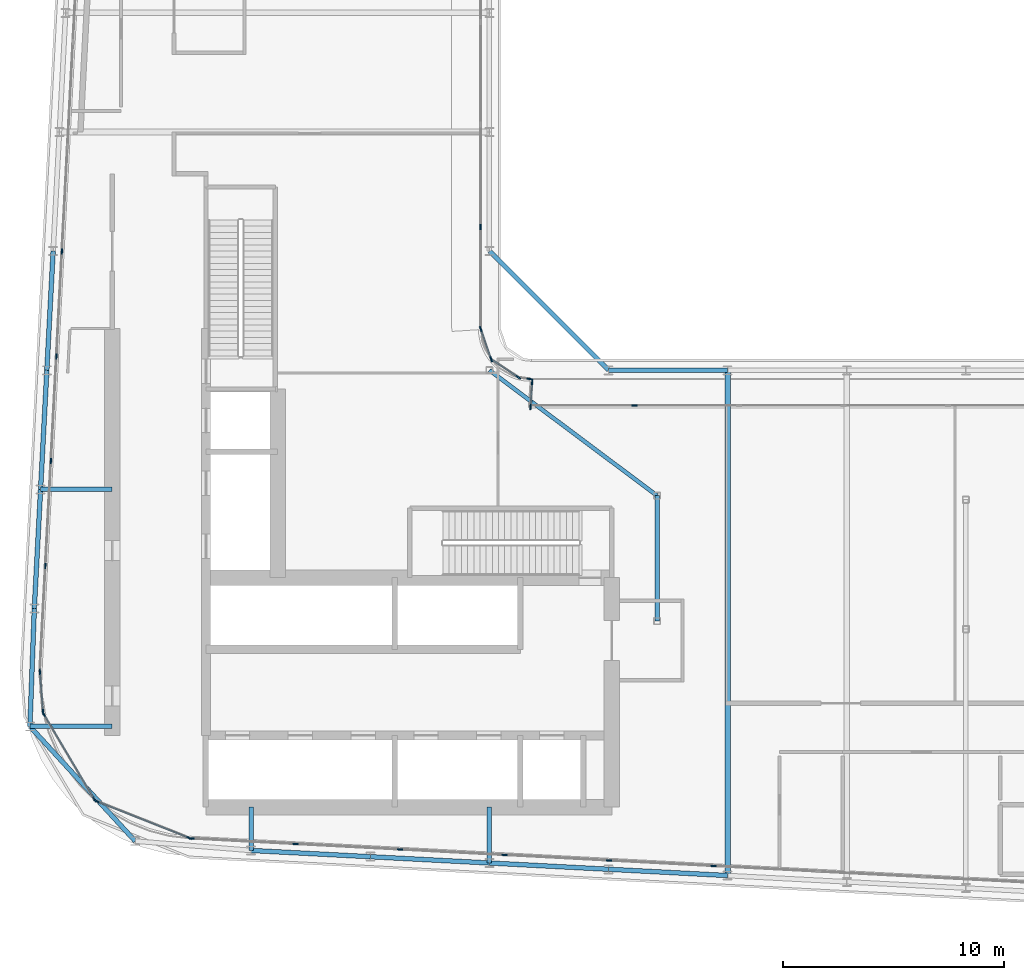
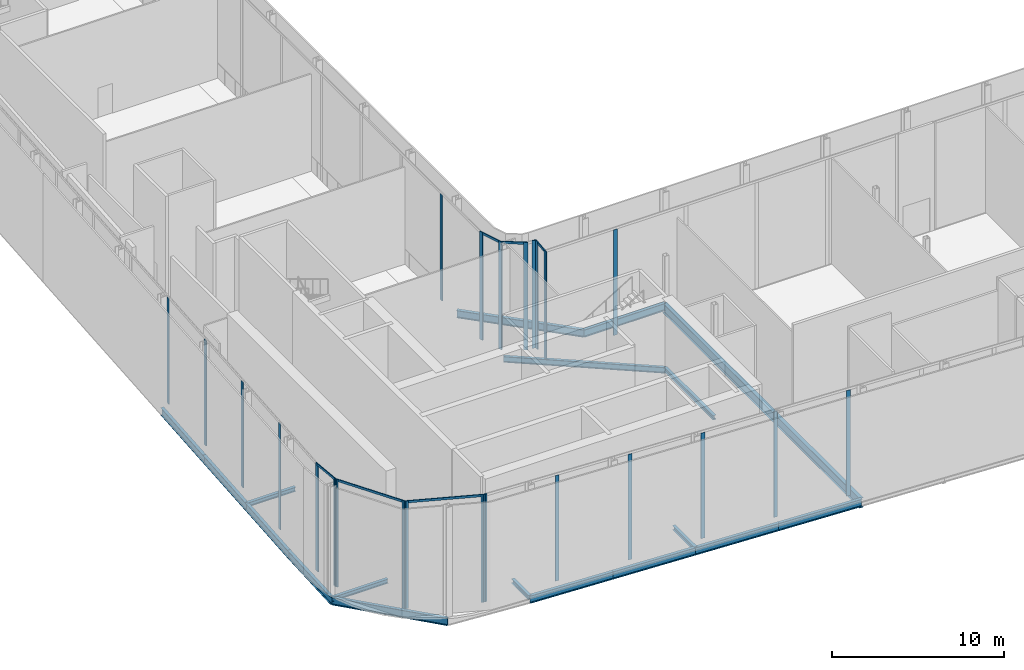
# One storey, part 6 of 38: 30 members, 18 beams, 11 elements without a shape of their own.
"""IFC4 building model written with IfcOpenShell, lengths in metres."""

from ifc_helpers import new_model, si_unit, direction, frame, origin, origin_2d, place, context, subcontext, project, spatial, rectangle, i_section, extrude, material, layer, layer_set, material_profile, profile_set, type_object, element, aggregate, save


model = new_model("IFC4")

# Units and contexts
model_context = context("Model", 3, precision=1e-05, world=origin(), true_north=direction((0.0, 1.0)))
body_context = subcontext(model_context, "Body", "Model", "MODEL_VIEW")
ifc_project = project(units=[si_unit("LENGTHUNIT", "METRE"), si_unit("AREAUNIT", "SQUARE_METRE"), si_unit("VOLUMEUNIT", "CUBIC_METRE"), si_unit("PLANEANGLEUNIT", "RADIAN"), si_unit("MASSUNIT", "GRAM", prefix="KILO")], contexts=[model_context])

# Site, building, storey
site_placement = place(None, origin())
site = spatial("IfcSite", under=ifc_project, at=site_placement, CompositionType="ELEMENT")
building_placement = place(site_placement, origin())
building = spatial("IfcBuilding", under=site, at=building_placement, Name="Kheshtan School and Residences Tower", CompositionType="ELEMENT")
storey_placement = place(building_placement, frame((0.0, 0.0, 203.300048828125)))
storey = spatial("IfcBuildingStorey", under=building, at=storey_placement, Name="L48", CompositionType="ELEMENT", Elevation=203.300048828125)

# Beams
ifc_material_1 = material(Name="Steel ASTM A992 Grade 50", Category="steel")
ifc_material_profile_1 = material_profile(ifc_material_1, i_section(OverallWidth=0.202880859375, OverallDepth=0.302978515625, WebThickness=0.007568359375, FlangeThickness=0.01318359375, FilletRadius=0.009033203125, at=origin_2d()), Name="W310x60")
ifc_profile_set_1 = profile_set([ifc_material_profile_1], Name="Steel ASTM A992 Grade 50")
beam_type_1 = type_object("IfcBeamType", Name="Beam FB1 W310x60 ASTM A992 Grade 50", PredefinedType="BEAM", material=ifc_profile_set_1)
beam_1_placement = place(storey_placement, frame((47.60009765625, 23.263916015625, -0.301513671875), z_axis=(0.0, 1.0, 0.0), x_axis=(-1.0, 0.0, 0.0)))
element("IfcBeam", 1, at=beam_1_placement, inside=storey, type_object=beam_type_1, Name="Floor beam C020", PredefinedType="BEAM", context=body_context, shape_type="SweptSolid", body=[
    extrude(i_section(OverallWidth=0.202880859375, OverallDepth=0.302978515625, WebThickness=0.007568359375, FlangeThickness=0.01318359375, FilletRadius=0.009033203125, at=origin_2d()), origin(), (0.0, 0.0, 1.0), 2.5361328125),
])
beam_2_placement = place(storey_placement, frame((36.800048828125, 23.83203125, -0.301513671875), z_axis=(0.0, 1.0, 0.0), x_axis=(-1.0, 0.0, 0.0)))
element("IfcBeam", 2, at=beam_2_placement, inside=storey, type_object=beam_type_1, Name="Floor beam C022", PredefinedType="BEAM", context=body_context, shape_type="SweptSolid", body=[
    extrude(i_section(OverallWidth=0.202880859375, OverallDepth=0.302978515625, WebThickness=0.007568359375, FlangeThickness=0.01318359375, FilletRadius=0.009033203125, at=origin_2d()), origin(), (0.0, 0.0, 1.0), 1.968017578125),
])
beam_3_placement = place(storey_placement, frame((26.76904296875, 29.4541015625, -0.301513671875), z_axis=(1.0, 0.0, 0.0), x_axis=(0.0, 1.0, 0.0)))
element("IfcBeam", 3, at=beam_3_placement, inside=storey, type_object=beam_type_1, Name="Floor beam C038", PredefinedType="BEAM", context=body_context, shape_type="SweptSolid", body=[
    extrude(i_section(OverallWidth=0.202880859375, OverallDepth=0.302978515625, WebThickness=0.007568359375, FlangeThickness=0.01318359375, FilletRadius=0.009033203125, at=origin_2d()), origin(), (0.0, 0.0, 1.0), 3.73095703125),
])
beam_4_placement = place(storey_placement, frame((27.2529296875, 40.199951171875, -0.301513671875), z_axis=(1.0, 0.0, 0.0), x_axis=(0.0, 1.0, 0.0)))
element("IfcBeam", 4, at=beam_4_placement, inside=storey, type_object=beam_type_1, Name="Floor beam C056", PredefinedType="BEAM", context=body_context, shape_type="SweptSolid", body=[
    extrude(i_section(OverallWidth=0.202880859375, OverallDepth=0.302978515625, WebThickness=0.007568359375, FlangeThickness=0.01318359375, FilletRadius=0.009033203125, at=origin_2d()), origin(), (0.0, 0.0, 1.0), 3.2470703125),
])
beam_5_placement = place(storey_placement, frame((55.199951171875, 34.23193359375, -0.301513671875), z_axis=(0.0, 1.0, 0.0), x_axis=(-1.0, 0.0, 0.0)))
element("IfcBeam", 5, at=beam_5_placement, inside=storey, type_object=beam_type_1, Name="Floor beam IC", PredefinedType="BEAM", context=body_context, shape_type="SweptSolid", body=[
    extrude(i_section(OverallWidth=0.202880859375, OverallDepth=0.302978515625, WebThickness=0.007568359375, FlangeThickness=0.01318359375, FilletRadius=0.009033203125, at=origin_2d()), origin(), (0.0, 0.0, 1.0), 5.68408203125),
])
ifc_material_profile_2 = material_profile(ifc_material_1, i_section(OverallWidth=0.180908203125, OverallDepth=0.4169921875, WebThickness=0.010986328125, FlangeThickness=0.018310546875, FilletRadius=0.012451171875, at=origin_2d()), Name="W410x85")
ifc_profile_set_2 = profile_set([ifc_material_profile_2], Name="Steel ASTM A992 Grade 50")
beam_type_2 = type_object("IfcBeamType", Name="Beam FB3 W410x85 ASTM A992 Grade 50", PredefinedType="BEAM", material=ifc_profile_set_2)
beam_6_placement = place(storey_placement, frame((47.60009765625, 45.60009765625, -0.358642578125), z_axis=(0.800798828004, -0.598933416222, 0.0), x_axis=(0.598933416222, 0.800798828004, 0.0)))
element("IfcBeam", 6, at=beam_6_placement, inside=storey, type_object=beam_type_2, Name="Floor beam IC", PredefinedType="BEAM", context=body_context, shape_type="SweptSolid", body=[
    extrude(i_section(OverallWidth=0.180908203125, OverallDepth=0.4169921875, WebThickness=0.010986328125, FlangeThickness=0.018310546875, FilletRadius=0.012451171875, at=origin_2d()), origin(), (0.0, 0.0, 1.0), 9.490234375),
])
ifc_material_profile_3 = material_profile(ifc_material_1, i_section(OverallWidth=0.2529296875, OverallDepth=0.677978515625, WebThickness=0.01171875, FlangeThickness=0.016357421875, FilletRadius=0.0146484375, at=origin_2d()), Name="W690x125")
ifc_profile_set_3 = profile_set([ifc_material_profile_3], Name="Steel ASTM A992 Grade 50")
beam_type_3 = type_object("IfcBeamType", Name="Beam FB6 W690x125 ASTM A992 Grade 50", PredefinedType="BEAM", material=ifc_profile_set_3)
beam_7_placement = place(storey_placement, frame((58.39990234375, 22.695068359375, -0.489013671875), z_axis=(0.0, 1.0, 0.0), x_axis=(-1.0, 0.0, 0.0)))
element("IfcBeam", 7, at=beam_7_placement, inside=storey, type_object=beam_type_3, Name="Floor beam C018", PredefinedType="BEAM", context=body_context, shape_type="SweptSolid", body=[
    extrude(i_section(OverallWidth=0.2529296875, OverallDepth=0.677978515625, WebThickness=0.01171875, FlangeThickness=0.016357421875, FilletRadius=0.0146484375, at=origin_2d()), origin(), (0.0, 0.0, 1.0), 22.905029296875),
])
ifc_material_profile_4 = material_profile(ifc_material_1, i_section(OverallWidth=0.208984375, OverallDepth=0.532958984375, WebThickness=0.01025390625, FlangeThickness=0.015625, FilletRadius=0.013916015625, at=origin_2d()), Name="W530x92")
ifc_profile_set_4 = profile_set([ifc_material_profile_4], Name="Steel ASTM A992 Grade 50")
beam_type_4 = type_object("IfcBeamType", Name="Beam SP3 W530x92 ASTM A992 Grade 50", PredefinedType="BEAM", material=ifc_profile_set_4)
beam_8_placement = place(storey_placement, frame((47.60009765625, 51.0, -0.41650390625), z_axis=(0.707106781187, -0.707106781187, 0.0), x_axis=(0.707106781187, 0.707106781187, 0.0)))
element("IfcBeam", 8, at=beam_8_placement, inside=storey, type_object=beam_type_4, Name="Spandrel beam C079-C061", PredefinedType="BEAM", context=body_context, shape_type="SweptSolid", body=[
    extrude(i_section(OverallWidth=0.208984375, OverallDepth=0.532958984375, WebThickness=0.01025390625, FlangeThickness=0.015625, FilletRadius=0.013916015625, at=origin_2d()), origin(), (0.0, 0.0, 1.0), 7.63671875),
])
beam_9_placement = place(storey_placement, frame((53.0, 45.60009765625, -0.41650390625), z_axis=(1.0, 0.0, 0.0), x_axis=(0.0, 1.0, 0.0)))
element("IfcBeam", 9, at=beam_9_placement, inside=storey, type_object=beam_type_4, Name="Spandrel beam C061-C062", PredefinedType="BEAM", context=body_context, shape_type="SweptSolid", body=[
    extrude(i_section(OverallWidth=0.208984375, OverallDepth=0.532958984375, WebThickness=0.01025390625, FlangeThickness=0.015625, FilletRadius=0.013916015625, at=origin_2d()), origin(), (0.0, 0.0, 1.0), 5.39990234375),
])
for number, where, z_axis, x_axis, name in (
    (10, (58.39990234375, 22.695068359375, -0.41650390625), (-0.998610961136, 0.052689166816, 0.0), (-0.052689166816, -0.998610961136, 0.0), "Spandrel beam C018-C019"),
    (11, (53.0, 22.97998046875, -0.41650390625), (-0.998620447272, 0.05250906864, 0.0), (-0.05250906864, -0.998620447272, 0.0), "Spandrel beam C019-C020"),
):
    element("IfcBeam", number, at=place(storey_placement, frame(where, z_axis=z_axis, x_axis=x_axis)), inside=storey, type_object=beam_type_4, Name=name, PredefinedType="BEAM", context=body_context, shape_type="SweptSolid", body=[
        extrude(i_section(OverallWidth=0.208984375, OverallDepth=0.532958984375, WebThickness=0.01025390625, FlangeThickness=0.015625, FilletRadius=0.013916015625, at=origin_2d()), origin(), (0.0, 0.0, 1.0), 5.407470703125),
    ])
beam_10_placement = place(storey_placement, frame((47.60009765625, 23.263916015625, -0.41650390625), z_axis=(-0.998618203458, 0.052551724256, 0.0), x_axis=(-0.052551724256, -0.998618203458, 0.0)))
element("IfcBeam", 12, at=beam_10_placement, inside=storey, type_object=beam_type_4, Name="Spandrel beam C020-C021", PredefinedType="BEAM", context=body_context, shape_type="SweptSolid", body=[
    extrude(i_section(OverallWidth=0.208984375, OverallDepth=0.532958984375, WebThickness=0.01025390625, FlangeThickness=0.015625, FilletRadius=0.013916015625, at=origin_2d()), origin(), (0.0, 0.0, 1.0), 5.40771484375),
])
beam_11_placement = place(storey_placement, frame((42.199951171875, 23.548095703125, -0.41650390625), z_axis=(-0.998620447272, 0.05250906864, 0.0), x_axis=(-0.05250906864, -0.998620447272, 0.0)))
element("IfcBeam", 13, at=beam_11_placement, inside=storey, type_object=beam_type_4, Name="Spandrel beam C021-C022", PredefinedType="BEAM", context=body_context, shape_type="SweptSolid", body=[
    extrude(i_section(OverallWidth=0.208984375, OverallDepth=0.532958984375, WebThickness=0.01025390625, FlangeThickness=0.015625, FilletRadius=0.013916015625, at=origin_2d()), origin(), (0.0, 0.0, 1.0), 5.407470703125),
])
beam_12_placement = place(storey_placement, frame((31.5419921875, 24.257080078125, -0.41650390625), z_axis=(-0.676418406149, 0.736517576045, 0.0), x_axis=(-0.736517576045, -0.676418406149, 0.0)))
element("IfcBeam", 14, at=beam_12_placement, inside=storey, type_object=beam_type_4, Name="Spandrel beam C025-C038", PredefinedType="BEAM", context=body_context, shape_type="SweptSolid", body=[
    extrude(i_section(OverallWidth=0.208984375, OverallDepth=0.532958984375, WebThickness=0.01025390625, FlangeThickness=0.015625, FilletRadius=0.013916015625, at=origin_2d()), origin(), (0.0, 0.0, 1.0), 7.05615234375),
])
beam_13_placement = place(storey_placement, frame((26.76904296875, 29.4541015625, -0.41650390625), z_axis=(0.037376249491, 0.999301263871, 0.0), x_axis=(-0.999301263871, 0.037376249491, 0.0)))
element("IfcBeam", 15, at=beam_13_placement, inside=storey, type_object=beam_type_4, Name="Spandrel beam C038-C052", PredefinedType="BEAM", context=body_context, shape_type="SweptSolid", body=[
    extrude(i_section(OverallWidth=0.208984375, OverallDepth=0.532958984375, WebThickness=0.01025390625, FlangeThickness=0.015625, FilletRadius=0.013916015625, at=origin_2d()), origin(), (0.0, 0.0, 1.0), 5.349609375),
])
beam_14_placement = place(storey_placement, frame((26.968994140625, 34.800048828125, -0.41650390625), z_axis=(0.05250906864, 0.998620447272, 0.0), x_axis=(-0.998620447272, 0.05250906864, 0.0)))
element("IfcBeam", 16, at=beam_14_placement, inside=storey, type_object=beam_type_4, Name="Spandrel beam C052-C056", PredefinedType="BEAM", context=body_context, shape_type="SweptSolid", body=[
    extrude(i_section(OverallWidth=0.208984375, OverallDepth=0.532958984375, WebThickness=0.01025390625, FlangeThickness=0.015625, FilletRadius=0.013916015625, at=origin_2d()), origin(), (0.0, 0.0, 1.0), 5.407470703125),
])
beam_15_placement = place(storey_placement, frame((27.2529296875, 40.199951171875, -0.41650390625), z_axis=(0.052551724256, 0.998618203458, 0.0), x_axis=(-0.998618203458, 0.052551724256, 0.0)))
element("IfcBeam", 17, at=beam_15_placement, inside=storey, type_object=beam_type_4, Name="Spandrel beam C056-C059", PredefinedType="BEAM", context=body_context, shape_type="SweptSolid", body=[
    extrude(i_section(OverallWidth=0.208984375, OverallDepth=0.532958984375, WebThickness=0.01025390625, FlangeThickness=0.015625, FilletRadius=0.013916015625, at=origin_2d()), origin(), (0.0, 0.0, 1.0), 5.40771484375),
])
beam_16_placement = place(storey_placement, frame((27.537109375, 45.60009765625, -0.41650390625), z_axis=(0.052689166816, 0.998610961136, 0.0), x_axis=(-0.998610961136, 0.052689166816, 0.0)))
element("IfcBeam", 18, at=beam_16_placement, inside=storey, type_object=beam_type_4, Name="Spandrel beam C059-C078", PredefinedType="BEAM", context=body_context, shape_type="SweptSolid", body=[
    extrude(i_section(OverallWidth=0.208984375, OverallDepth=0.532958984375, WebThickness=0.01025390625, FlangeThickness=0.015625, FilletRadius=0.013916015625, at=origin_2d()), origin(), (0.0, 0.0, 1.0), 5.407470703125),
])

# Curtain wall, member
ifc_material_2 = material(Name="Clear low-e glass in thermally broken aluminium frame", Category="aluminium")
ifc_layer_1 = layer(ifc_material_2, 0.25)
ifc_layer_set_1 = layer_set([ifc_layer_1], Name="Curtain wall CW-G")
curtain_wall_type_1 = type_object("IfcCurtainWallType", Name="Curtain wall CW-G", PredefinedType="NOTDEFINED", material=ifc_layer_set_1)
curtain_wall_1_placement = place(storey_placement, origin())
curtain_wall_1 = element("IfcCurtainWall", 19, at=curtain_wall_1_placement, inside=storey, type_object=curtain_wall_type_1, Name="Curtain wall CWG5", PredefinedType="NOTDEFINED")
ifc_material_3 = material(Name="Thermally broken aluminium, dark bronze anodised", Category="aluminium")
ifc_material_profile_5 = material_profile(ifc_material_3, rectangle(XDim=0.06005859375, YDim=0.25, at=origin_2d()), Name="CW-G mullion 60x250")
ifc_profile_set_5 = profile_set([ifc_material_profile_5], Name="Thermally broken aluminium, dark bronze anodised")
member_type_1 = type_object("IfcMemberType", Name="CW-G mullion 60x250", PredefinedType="MULLION", material=ifc_profile_set_5)
member_1_placement = place(storey_placement, frame((54.169921875, 44.0, 0.0), z_axis=(0.0, 0.0, 1.0), x_axis=(0.0, 1.0, 0.0)))
member_1 = element("IfcMember", 20, at=member_1_placement, type_object=member_type_1, Name="CWG5 mullion 2", PredefinedType="MULLION", context=body_context, shape_type="SweptSolid", body=[
    extrude(rectangle(XDim=0.06005859375, YDim=0.25, at=origin_2d()), origin(), (0.0, 0.0, 1.0), 7.489990234375),
])
aggregate(curtain_wall_1, [member_1])

# Curtain wall, members
ifc_layer_2 = layer(ifc_material_2, 0.25)
ifc_layer_set_2 = layer_set([ifc_layer_2], Name="Curtain wall CW-K")
curtain_wall_type_2 = type_object("IfcCurtainWallType", Name="Curtain wall CW-K", PredefinedType="NOTDEFINED", material=ifc_layer_set_2)
curtain_wall_2_placement = place(storey_placement, origin())
curtain_wall_2 = element("IfcCurtainWall", 21, at=curtain_wall_2_placement, inside=storey, type_object=curtain_wall_type_2, Name="Curtain wall CWK1", PredefinedType="NOTDEFINED")
ifc_material_profile_6 = material_profile(ifc_material_3, rectangle(XDim=0.06005859375, YDim=0.25, at=origin_2d()), Name="CW-K mullion 60x250")
ifc_profile_set_6 = profile_set([ifc_material_profile_6], Name="Thermally broken aluminium, dark bronze anodised")
member_type_2 = type_object("IfcMemberType", Name="CW-K mullion 60x250", PredefinedType="MULLION", material=ifc_profile_set_6)
member_2_placement = place(storey_placement, frame((47.204345703125, 47.473388671875, 0.0), z_axis=(0.0, 0.0, 1.0), x_axis=(0.945190205469, 0.326520252796, 0.0)))
member_2 = element("IfcMember", 22, at=member_2_placement, type_object=member_type_2, Name="CWK1 mullion 1", PredefinedType="MULLION", context=body_context, shape_type="SweptSolid", body=[
    extrude(rectangle(XDim=0.06005859375, YDim=0.25, at=origin_2d()), origin(), (0.0, 0.0, 1.0), 7.64990234375),
])
member_3_placement = place(storey_placement, frame((47.6787109375, 46.10009765625, 0.0), z_axis=(0.0, 0.0, 1.0), x_axis=(0.945190205469, 0.326520252796, 0.0)))
member_3 = element("IfcMember", 23, at=member_3_placement, type_object=member_type_2, Name="CWK1 mullion 2", PredefinedType="MULLION", context=body_context, shape_type="SweptSolid", body=[
    extrude(rectangle(XDim=0.06005859375, YDim=0.25, at=origin_2d()), origin(), (0.0, 0.0, 1.0), 7.64990234375),
])

# Curtain wall, member
curtain_wall_3_placement = place(storey_placement, origin())
curtain_wall_3 = element("IfcCurtainWall", 24, at=curtain_wall_3_placement, inside=storey, type_object=curtain_wall_type_2, Name="Curtain wall CWK2", PredefinedType="NOTDEFINED")
member_4_placement = place(storey_placement, frame((48.90966796875, 45.27978515625, 0.0), z_axis=(0.0, 0.0, 1.0), x_axis=(0.555744859586, 0.831352904033, 0.0)))
member_4 = element("IfcMember", 25, at=member_4_placement, type_object=member_type_2, Name="CWK2 mullion 2", PredefinedType="MULLION", context=body_context, shape_type="SweptSolid", body=[
    extrude(rectangle(XDim=0.06005859375, YDim=0.25, at=origin_2d()), origin(), (0.0, 0.0, 1.0), 7.64990234375),
])

curtain_wall_4_placement = place(storey_placement, origin())
curtain_wall_4 = element("IfcCurtainWall", 26, at=curtain_wall_4_placement, inside=storey, type_object=curtain_wall_type_2, Name="Curtain wall CWK3", PredefinedType="NOTDEFINED")
member_5_placement = place(storey_placement, frame((49.424072265625, 45.205078125, 0.0), z_axis=(0.0, 0.0, 1.0), x_axis=(0.137712714358, 0.990472214807, 0.0)))
member_5 = element("IfcMember", 27, at=member_5_placement, type_object=member_type_2, Name="CWK3 mullion 2", PredefinedType="MULLION", context=body_context, shape_type="SweptSolid", body=[
    extrude(rectangle(XDim=0.06005859375, YDim=0.25, at=origin_2d()), origin(), (0.0, 0.0, 1.0), 7.64990234375),
])
aggregate(curtain_wall_4, [member_5])

# Curtain wall, members
curtain_wall_5_placement = place(storey_placement, origin())
curtain_wall_5 = element("IfcCurtainWall", 28, at=curtain_wall_5_placement, inside=storey, type_object=curtain_wall_type_2, Name="Curtain wall CWK4", PredefinedType="NOTDEFINED")
member_6_placement = place(storey_placement, frame((49.537841796875, 45.0654296875, 0.0), z_axis=(0.0, 0.0, 1.0), x_axis=(0.997829199352, -0.065855059944, 0.0)))
member_6 = element("IfcMember", 29, at=member_6_placement, type_object=member_type_2, Name="CWK4 mullion 1", PredefinedType="MULLION", context=body_context, shape_type="SweptSolid", body=[
    extrude(rectangle(XDim=0.06005859375, YDim=0.25, at=origin_2d()), origin(), (0.0, 0.0, 1.0), 7.64990234375),
])
member_7_placement = place(storey_placement, frame((49.462646484375, 43.928466796875, 0.0), z_axis=(0.0, 0.0, 1.0), x_axis=(0.997829199352, -0.065855059944, 0.0)))
member_7 = element("IfcMember", 30, at=member_7_placement, type_object=member_type_2, Name="CWK4 mullion 2", PredefinedType="MULLION", context=body_context, shape_type="SweptSolid", body=[
    extrude(rectangle(XDim=0.06005859375, YDim=0.25, at=origin_2d()), origin(), (0.0, 0.0, 1.0), 7.64990234375),
])

curtain_wall_6_placement = place(storey_placement, origin())
curtain_wall_6 = element("IfcCurtainWall", 31, at=curtain_wall_6_placement, inside=storey, type_object=curtain_wall_type_2, Name="Curtain wall CWK14", PredefinedType="NOTDEFINED")
member_8_placement = place(storey_placement, frame((57.76513671875, 23.12939453125, 0.0), z_axis=(0.0, 0.0, 1.0), x_axis=(-0.052569888839, -0.998617247391, 0.0)))
member_8 = element("IfcMember", 32, at=member_8_placement, type_object=member_type_2, Name="CWK14 mullion 10", PredefinedType="MULLION", context=body_context, shape_type="SweptSolid", body=[
    extrude(rectangle(XDim=0.06005859375, YDim=0.25, at=origin_2d()), origin(), (0.0, 0.0, 1.0), 7.489990234375),
])
member_9_placement = place(storey_placement, frame((53.024169921875, 23.37890625, 0.0), z_axis=(0.0, 0.0, 1.0), x_axis=(-0.052569888839, -0.998617247391, 0.0)))
member_9 = element("IfcMember", 33, at=member_9_placement, type_object=member_type_2, Name="CWK14 mullion 11", PredefinedType="MULLION", context=body_context, shape_type="SweptSolid", body=[
    extrude(rectangle(XDim=0.06005859375, YDim=0.25, at=origin_2d()), origin(), (0.0, 0.0, 1.0), 7.489990234375),
])
member_10_placement = place(storey_placement, frame((48.283203125, 23.62841796875, 0.0), z_axis=(0.0, 0.0, 1.0), x_axis=(-0.052569888839, -0.998617247391, 0.0)))
member_10 = element("IfcMember", 34, at=member_10_placement, type_object=member_type_2, Name="CWK14 mullion 12", PredefinedType="MULLION", context=body_context, shape_type="SweptSolid", body=[
    extrude(rectangle(XDim=0.06005859375, YDim=0.25, at=origin_2d()), origin(), (0.0, 0.0, 1.0), 7.489990234375),
])
member_11_placement = place(storey_placement, frame((43.54248046875, 23.8779296875, 0.0), z_axis=(0.0, 0.0, 1.0), x_axis=(-0.052569888839, -0.998617247391, 0.0)))
member_11 = element("IfcMember", 35, at=member_11_placement, type_object=member_type_2, Name="CWK14 mullion 13", PredefinedType="MULLION", context=body_context, shape_type="SweptSolid", body=[
    extrude(rectangle(XDim=0.06005859375, YDim=0.25, at=origin_2d()), origin(), (0.0, 0.0, 1.0), 7.489990234375),
])
member_12_placement = place(storey_placement, frame((38.801513671875, 24.127685546875, 0.0), z_axis=(0.0, 0.0, 1.0), x_axis=(-0.052569888839, -0.998617247391, 0.0)))
member_12 = element("IfcMember", 36, at=member_12_placement, type_object=member_type_2, Name="CWK14 mullion 14", PredefinedType="MULLION", context=body_context, shape_type="SweptSolid", body=[
    extrude(rectangle(XDim=0.06005859375, YDim=0.25, at=origin_2d()), origin(), (0.0, 0.0, 1.0), 7.489990234375),
])
member_13_placement = place(storey_placement, frame((34.0908203125, 24.37548828125, 0.0), z_axis=(0.0, 0.0, 1.0), x_axis=(-0.052569888839, -0.998617247391, 0.0)))
member_13 = element("IfcMember", 37, at=member_13_placement, type_object=member_type_2, Name="CWK14 mullion 15", PredefinedType="MULLION", context=body_context, shape_type="SweptSolid", body=[
    extrude(rectangle(XDim=0.06005859375, YDim=0.25, at=origin_2d()), origin(), (0.0, 0.0, 1.0), 7.64990234375),
])
aggregate(curtain_wall_6, [member_8, member_9, member_10, member_11, member_12, member_13])

curtain_wall_7_placement = place(storey_placement, origin())
curtain_wall_7 = element("IfcCurtainWall", 38, at=curtain_wall_7_placement, inside=storey, type_object=curtain_wall_type_2, Name="Curtain wall CWK15", PredefinedType="NOTDEFINED")
member_14_placement = place(storey_placement, frame((34.001220703125, 24.39501953125, 0.0), z_axis=(0.0, 0.0, 1.0), x_axis=(-0.369099336022, -0.929389950531, 0.0)))
member_14 = element("IfcMember", 39, at=member_14_placement, type_object=member_type_2, Name="CWK15 mullion 1", PredefinedType="MULLION", context=body_context, shape_type="SweptSolid", body=[
    extrude(rectangle(XDim=0.06005859375, YDim=0.25, at=origin_2d()), origin(), (0.0, 0.0, 1.0), 7.64990234375),
])
member_15_placement = place(storey_placement, frame((29.7890625, 26.06787109375, 0.0), z_axis=(0.0, 0.0, 1.0), x_axis=(-0.369099336022, -0.929389950531, 0.0)))
member_15 = element("IfcMember", 40, at=member_15_placement, type_object=member_type_2, Name="CWK15 mullion 2", PredefinedType="MULLION", context=body_context, shape_type="SweptSolid", body=[
    extrude(rectangle(XDim=0.06005859375, YDim=0.25, at=origin_2d()), origin(), (0.0, 0.0, 1.0), 7.64990234375),
])

curtain_wall_8_placement = place(storey_placement, origin())
curtain_wall_8 = element("IfcCurtainWall", 41, at=curtain_wall_8_placement, inside=storey, type_object=curtain_wall_type_2, Name="Curtain wall CWK16", PredefinedType="NOTDEFINED")
member_16_placement = place(storey_placement, frame((29.69677734375, 26.146728515625, 0.0), z_axis=(0.0, 0.0, 1.0), x_axis=(-0.85953588802, -0.511075392878, 0.0)))
member_16 = element("IfcMember", 42, at=member_16_placement, type_object=member_type_2, Name="CWK16 mullion 1", PredefinedType="MULLION", context=body_context, shape_type="SweptSolid", body=[
    extrude(rectangle(XDim=0.06005859375, YDim=0.25, at=origin_2d()), origin(), (0.0, 0.0, 1.0), 7.64990234375),
])
member_17_placement = place(storey_placement, frame((27.395263671875, 30.01708984375, 0.0), z_axis=(0.0, 0.0, 1.0), x_axis=(-0.85953588802, -0.511075392878, 0.0)))
member_17 = element("IfcMember", 43, at=member_17_placement, type_object=member_type_2, Name="CWK16 mullion 2", PredefinedType="MULLION", context=body_context, shape_type="SweptSolid", body=[
    extrude(rectangle(XDim=0.06005859375, YDim=0.25, at=origin_2d()), origin(), (0.0, 0.0, 1.0), 7.64990234375),
])

curtain_wall_9_placement = place(storey_placement, origin())
curtain_wall_9 = element("IfcCurtainWall", 44, at=curtain_wall_9_placement, inside=storey, type_object=curtain_wall_type_2, Name="Curtain wall CWK17", PredefinedType="NOTDEFINED")
member_18_placement = place(storey_placement, frame((27.364013671875, 30.1162109375, 0.0), z_axis=(0.0, 0.0, 1.0), x_axis=(-0.996988506678, -0.077549452299, 0.0)))
member_18 = element("IfcMember", 45, at=member_18_placement, type_object=member_type_2, Name="CWK17 mullion 1", PredefinedType="MULLION", context=body_context, shape_type="SweptSolid", body=[
    extrude(rectangle(XDim=0.06005859375, YDim=0.25, at=origin_2d()), origin(), (0.0, 0.0, 1.0), 7.64990234375),
])
member_19_placement = place(storey_placement, frame((27.22265625, 31.933349609375, 0.0), z_axis=(0.0, 0.0, 1.0), x_axis=(-0.996988506678, -0.077549452299, 0.0)))
member_19 = element("IfcMember", 46, at=member_19_placement, type_object=member_type_2, Name="CWK17 mullion 2", PredefinedType="MULLION", context=body_context, shape_type="SweptSolid", body=[
    extrude(rectangle(XDim=0.06005859375, YDim=0.25, at=origin_2d()), origin(), (0.0, 0.0, 1.0), 7.64990234375),
])

curtain_wall_10_placement = place(storey_placement, origin())
curtain_wall_10 = element("IfcCurtainWall", 47, at=curtain_wall_10_placement, inside=storey, type_object=curtain_wall_type_2, Name="Curtain wall CWK18", PredefinedType="NOTDEFINED")
member_20_placement = place(storey_placement, frame((27.47021484375, 36.728515625, 0.0), z_axis=(0.0, 0.0, 1.0), x_axis=(-0.998617497599, 0.05256513568, 0.0)))
member_20 = element("IfcMember", 48, at=member_20_placement, type_object=member_type_2, Name="CWK18 mullion 2", PredefinedType="MULLION", context=body_context, shape_type="SweptSolid", body=[
    extrude(rectangle(XDim=0.06005859375, YDim=0.25, at=origin_2d()), origin(), (0.0, 0.0, 1.0), 7.489990234375),
])
member_21_placement = place(storey_placement, frame((27.720458984375, 41.48046875, 0.0), z_axis=(0.0, 0.0, 1.0), x_axis=(-0.998617497599, 0.05256513568, 0.0)))
member_21 = element("IfcMember", 49, at=member_21_placement, type_object=member_type_2, Name="CWK18 mullion 3", PredefinedType="MULLION", context=body_context, shape_type="SweptSolid", body=[
    extrude(rectangle(XDim=0.06005859375, YDim=0.25, at=origin_2d()), origin(), (0.0, 0.0, 1.0), 7.489990234375),
])
member_22_placement = place(storey_placement, frame((27.970458984375, 46.232666015625, 0.0), z_axis=(0.0, 0.0, 1.0), x_axis=(-0.998617497599, 0.05256513568, 0.0)))
member_22 = element("IfcMember", 50, at=member_22_placement, type_object=member_type_2, Name="CWK18 mullion 4", PredefinedType="MULLION", context=body_context, shape_type="SweptSolid", body=[
    extrude(rectangle(XDim=0.06005859375, YDim=0.25, at=origin_2d()), origin(), (0.0, 0.0, 1.0), 7.489990234375),
])
member_23_placement = place(storey_placement, frame((28.220703125, 50.98486328125, 0.0), z_axis=(0.0, 0.0, 1.0), x_axis=(-0.998617497599, 0.05256513568, 0.0)))
member_23 = element("IfcMember", 51, at=member_23_placement, type_object=member_type_2, Name="CWK18 mullion 5", PredefinedType="MULLION", context=body_context, shape_type="SweptSolid", body=[
    extrude(rectangle(XDim=0.06005859375, YDim=0.25, at=origin_2d()), origin(), (0.0, 0.0, 1.0), 7.489990234375),
])
aggregate(curtain_wall_10, [member_20, member_21, member_22, member_23])

# Curtain wall, member
curtain_wall_11_placement = place(storey_placement, origin())
curtain_wall_11 = element("IfcCurtainWall", 52, at=curtain_wall_11_placement, inside=storey, type_object=curtain_wall_type_2, Name="Curtain wall CWK24", PredefinedType="NOTDEFINED")
member_24_placement = place(storey_placement, frame((47.199951171875, 52.10546875, 0.0), z_axis=(0.0, 0.0, 1.0), x_axis=(1.0, 0.0, 0.0)))
member_24 = element("IfcMember", 53, at=member_24_placement, type_object=member_type_2, Name="CWK24 mullion 11", PredefinedType="MULLION", context=body_context, shape_type="SweptSolid", body=[
    extrude(rectangle(XDim=0.06005859375, YDim=0.25, at=origin_2d()), origin(), (0.0, 0.0, 1.0), 7.489990234375),
])
aggregate(curtain_wall_11, [member_24])

# Member
ifc_material_profile_7 = material_profile(ifc_material_3, rectangle(XDim=0.06005859375, YDim=0.159912109375, at=origin_2d()), Name="CW-K transom 60x160")
ifc_profile_set_7 = profile_set([ifc_material_profile_7], Name="Thermally broken aluminium, dark bronze anodised")
member_type_3 = type_object("IfcMemberType", Name="CW-K transom 60x160", PredefinedType="USERDEFINED", material=ifc_profile_set_7)
member_25_placement = place(storey_placement, frame((47.214111328125, 47.44482421875, 7.570068359375), z_axis=(0.326568656933, -0.945173482652, 0.0), x_axis=(0.945173482652, 0.326568656933, 0.0)))
member_25 = element("IfcMember", 54, at=member_25_placement, type_object=member_type_3, Name="CWK1 transom 1", ObjectType="TRANSOM", PredefinedType="USERDEFINED", context=body_context, shape_type="SweptSolid", body=[
    extrude(rectangle(XDim=0.06005859375, YDim=0.159912109375, at=origin_2d()), origin(), (0.0, 0.0, 1.0), 1.392822265625),
])

aggregate(curtain_wall_2, [member_2, member_3, member_25])

member_26_placement = place(storey_placement, frame((47.704833984375, 46.085205078125, 7.570068359375), z_axis=(0.831335091736, -0.555771504531, 0.0), x_axis=(0.555771504531, 0.831335091736, 0.0)))
member_26 = element("IfcMember", 55, at=member_26_placement, type_object=member_type_3, Name="CWK2 transom 1", ObjectType="TRANSOM", PredefinedType="USERDEFINED", context=body_context, shape_type="SweptSolid", body=[
    extrude(rectangle(XDim=0.06005859375, YDim=0.159912109375, at=origin_2d()), origin(), (0.0, 0.0, 1.0), 1.41943359375),
])

aggregate(curtain_wall_3, [member_4, member_26])

member_27_placement = place(storey_placement, frame((49.535888671875, 45.03564453125, 7.570068359375), z_axis=(-0.065798635894, -0.997832921643, 0.0), x_axis=(0.997832921643, -0.065798635894, 0.0)))
member_27 = element("IfcMember", 56, at=member_27_placement, type_object=member_type_3, Name="CWK4 transom 1", ObjectType="TRANSOM", PredefinedType="USERDEFINED", context=body_context, shape_type="SweptSolid", body=[
    extrude(rectangle(XDim=0.06005859375, YDim=0.159912109375, at=origin_2d()), origin(), (0.0, 0.0, 1.0), 1.079833984375),
])

aggregate(curtain_wall_5, [member_6, member_7, member_27])

member_28_placement = place(storey_placement, frame((33.973388671875, 24.40625, 7.570068359375), z_axis=(-0.929396211553, 0.369083570415, 0.0), x_axis=(-0.369083570415, -0.929396211553, 0.0)))
member_28 = element("IfcMember", 57, at=member_28_placement, type_object=member_type_3, Name="CWK15 transom 1", ObjectType="TRANSOM", PredefinedType="USERDEFINED", context=body_context, shape_type="SweptSolid", body=[
    extrude(rectangle(XDim=0.06005859375, YDim=0.159912109375, at=origin_2d()), origin(), (0.0, 0.0, 1.0), 4.47216796875),
])

aggregate(curtain_wall_7, [member_14, member_15, member_28])

member_29_placement = place(storey_placement, frame((29.681396484375, 26.17236328125, 7.570068359375), z_axis=(-0.511089656668, 0.859527406688, 0.0), x_axis=(-0.859527406688, -0.511089656668, 0.0)))
member_29 = element("IfcMember", 58, at=member_29_placement, type_object=member_type_3, Name="CWK16 transom 1", ObjectType="TRANSOM", PredefinedType="USERDEFINED", context=body_context, shape_type="SweptSolid", body=[
    extrude(rectangle(XDim=0.06005859375, YDim=0.159912109375, at=origin_2d()), origin(), (0.0, 0.0, 1.0), 4.44287109375),
])

aggregate(curtain_wall_8, [member_16, member_17, member_29])

member_30_placement = place(storey_placement, frame((27.361572265625, 30.14599609375, 7.570068359375), z_axis=(-0.077565002269, 0.996987297022, 0.0), x_axis=(-0.996987297022, -0.077565002269, 0.0)))
member_30 = element("IfcMember", 59, at=member_30_placement, type_object=member_type_3, Name="CWK17 transom 1", ObjectType="TRANSOM", PredefinedType="USERDEFINED", context=body_context, shape_type="SweptSolid", body=[
    extrude(rectangle(XDim=0.06005859375, YDim=0.159912109375, at=origin_2d()), origin(), (0.0, 0.0, 1.0), 1.7626953125),
])

aggregate(curtain_wall_9, [member_18, member_19, member_30])

save(model, "model.ifc")
